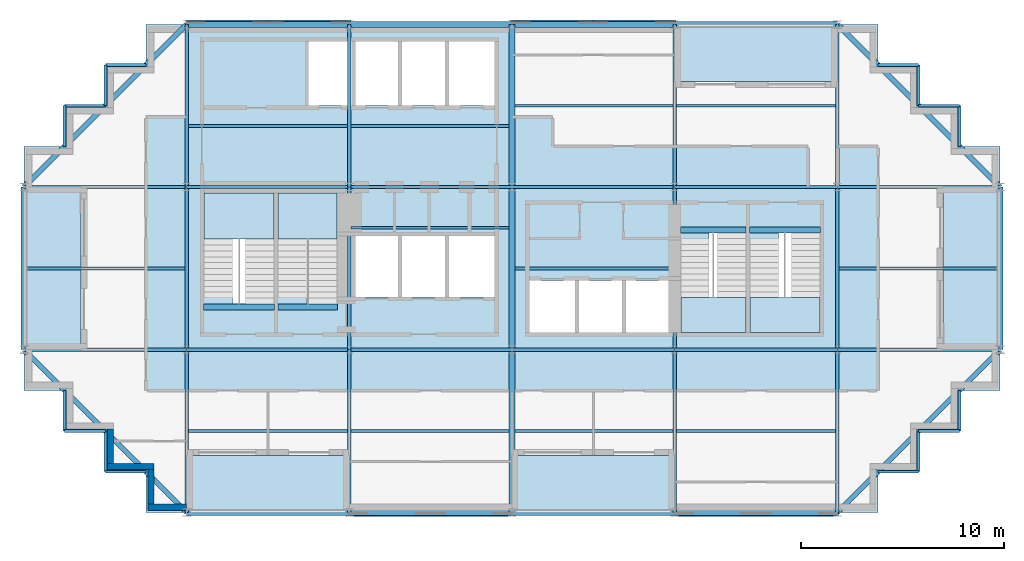
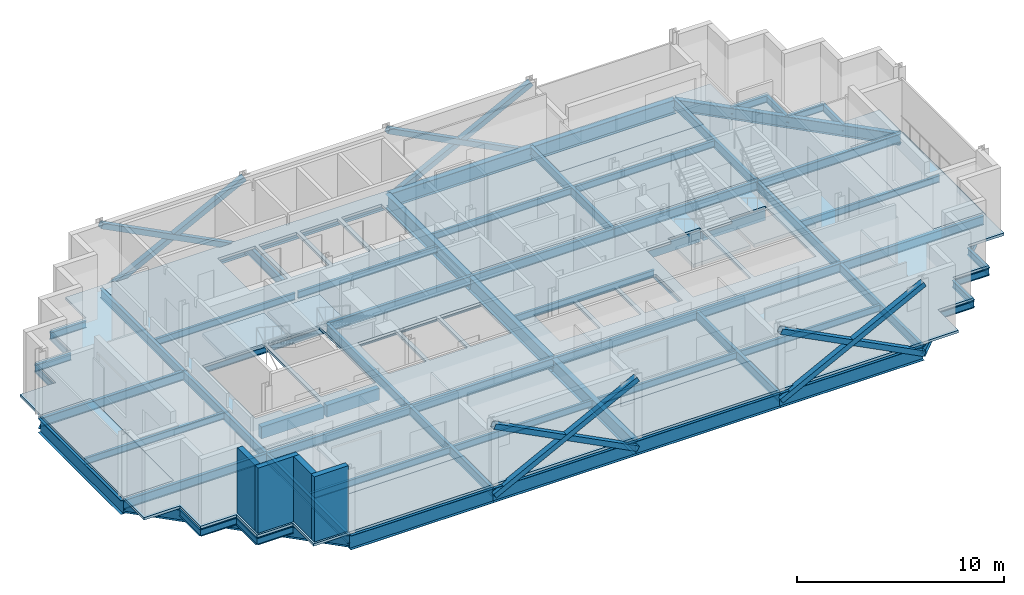
# One storey, part 3 of 9: 73 beams, 12 slabs, 8 members, 4 walls, 4 elements without a shape of their own.
"""IFC4 building model written with IfcOpenShell, lengths in metres."""

from ifc_helpers import new_model, si_unit, direction, frame, frame_2d, origin, origin_2d, place, context, subcontext, project, spatial, polyline, rectangle, hollow_rectangle, i_section, outline, extrude, material, layer, layer_set, material_profile, profile_set, type_object, element, aggregate, save


model = new_model("IFC4")

# Units and contexts
model_context = context("Model", 3, precision=1e-05, world=origin(), true_north=direction((0.0, 1.0)))
body_context = subcontext(model_context, "Body", "Model", "MODEL_VIEW")
ifc_project = project(units=[si_unit("LENGTHUNIT", "METRE"), si_unit("AREAUNIT", "SQUARE_METRE"), si_unit("VOLUMEUNIT", "CUBIC_METRE"), si_unit("PLANEANGLEUNIT", "RADIAN"), si_unit("MASSUNIT", "GRAM", prefix="KILO")], contexts=[model_context])

# Site, building, storey
site_placement = place(None, origin())
site = spatial("IfcSite", under=ifc_project, at=site_placement, CompositionType="ELEMENT")
building_placement = place(site_placement, origin())
building = spatial("IfcBuilding", under=site, at=building_placement, Name="Immortelle Media Tower", CompositionType="ELEMENT")
storey_placement = place(building_placement, frame((0.0, 0.0, 247.0)))
storey = spatial("IfcBuildingStorey", under=building, at=storey_placement, Name="L53", CompositionType="ELEMENT", Elevation=247.0)

# Members
ifc_material_1 = material(Name="Steel ASTM A500 Gr C", Category="steel")
ifc_material_profile_1 = material_profile(ifc_material_1, hollow_rectangle(XDim=0.304931640625, YDim=0.304931640625, WallThickness=0.011962890625, at=origin_2d()), Name="HSS12x12x1/2 brace")
ifc_profile_set_1 = profile_set([ifc_material_profile_1], Name="Steel ASTM A500 Gr C")
member_type = type_object("IfcMemberType", Name="HSS12x12x1/2 brace", PredefinedType="BRACE", material=ifc_profile_set_1)
for number, where, z_axis, x_axis, name in (
    (1, (16.0, -0.0625, -0.568115234375), (0.889388393612, 0.0, 0.457152365528), (0.0, 1.0, 0.0), "Brace A/3-4 A"),
    (2, (16.0, -0.0625, 3.5439453125), (0.889388393612, 0.0, -0.457152365528), (0.0, 1.0, 0.0), "Brace A/3-4 B"),
    (3, (32.0, -0.0625, -0.568115234375), (0.889388393612, 0.0, 0.457152365528), (0.0, 1.0, 0.0), "Brace A/5-6 A"),
    (4, (32.0, -0.0625, 3.5439453125), (0.889388393612, 0.0, -0.457152365528), (0.0, 1.0, 0.0), "Brace A/5-6 B"),
    (5, (32.0, 24.0625, -0.568115234375), (-0.889388393612, 0.0, 0.457152365528), (0.0, -1.0, 0.0), "Brace D/4-5 A"),
    (6, (32.0, 24.0625, 3.5439453125), (-0.889388393612, 0.0, -0.457152365528), (0.0, -1.0, 0.0), "Brace D/4-5 B"),
    (7, (16.0, 24.0625, -0.568115234375), (-0.889388393612, 0.0, 0.457152365528), (0.0, -1.0, 0.0), "Brace D/2-3 A"),
    (8, (16.0, 24.0625, 3.5439453125), (-0.889388393612, 0.0, -0.457152365528), (0.0, -1.0, 0.0), "Brace D/2-3 B"),
):
    element("IfcMember", number, at=place(storey_placement, frame(where, z_axis=z_axis, x_axis=x_axis)), inside=storey, type_object=member_type, Name=name, PredefinedType="BRACE", context=body_context, shape_type="SweptSolid", body=[
        extrude(hollow_rectangle(XDim=0.304931640625, YDim=0.304931640625, WallThickness=0.011962890625, at=origin_2d()), origin(), (0.0, 0.0, 1.0), 8.994873046875),
    ])

# Beams
ifc_material_2 = material(Name="Concrete C50/60", Category="concrete")
ifc_material_profile_2 = material_profile(ifc_material_2, rectangle(XDim=0.300048828125, YDim=0.699951171875, at=origin_2d()), Name="RC 300x700")
ifc_profile_set_2 = profile_set([ifc_material_profile_2], Name="Concrete C50/60")
beam_type_1 = type_object("IfcBeamType", Name="Stair trimmer beam 300 x 700", PredefinedType="BEAM", material=ifc_profile_set_2)
beam_1_placement = place(storey_placement, frame((8.830078125, 10.10498046875, -0.5), z_axis=(1.0, 0.0, 0.0), x_axis=(0.0, 1.0, 0.0)))
element("IfcBeam", 9, at=beam_1_placement, inside=storey, type_object=beam_type_1, Name="Stair trimmer beam SW1", PredefinedType="BEAM", context=body_context, shape_type="SweptSolid", body=[
    extrude(rectangle(XDim=0.300048828125, YDim=0.699951171875, at=origin_2d()), origin(), (0.0, 0.0, 1.0), 3.489990234375),
])
beam_2_placement = place(storey_placement, frame((12.47998046875, 10.10498046875, -0.5), z_axis=(1.0, 0.0, 0.0), x_axis=(0.0, 1.0, 0.0)))
element("IfcBeam", 10, at=beam_2_placement, inside=storey, type_object=beam_type_1, Name="Stair trimmer beam SW2", PredefinedType="BEAM", context=body_context, shape_type="SweptSolid", body=[
    extrude(rectangle(XDim=0.300048828125, YDim=0.699951171875, at=origin_2d()), origin(), (0.0, 0.0, 1.0), 2.93994140625),
])
beam_3_placement = place(storey_placement, frame((32.280029296875, 13.89501953125, -0.5), z_axis=(1.0, 0.0, 0.0), x_axis=(0.0, 1.0, 0.0)))
element("IfcBeam", 11, at=beam_3_placement, inside=storey, type_object=beam_type_1, Name="Stair trimmer beam SE1", PredefinedType="BEAM", context=body_context, shape_type="SweptSolid", body=[
    extrude(rectangle(XDim=0.300048828125, YDim=0.699951171875, at=origin_2d()), origin(), (0.0, 0.0, 1.0), 3.239990234375),
])
beam_4_placement = place(storey_placement, frame((35.679931640625, 13.89501953125, -0.5), z_axis=(1.0, 0.0, 0.0), x_axis=(0.0, 1.0, 0.0)))
element("IfcBeam", 12, at=beam_4_placement, inside=storey, type_object=beam_type_1, Name="Stair trimmer beam SE2", PredefinedType="BEAM", context=body_context, shape_type="SweptSolid", body=[
    extrude(rectangle(XDim=0.300048828125, YDim=0.699951171875, at=origin_2d()), origin(), (0.0, 0.0, 1.0), 3.489990234375),
])
ifc_material_3 = material(Name="Steel ASTM A992 Gr 50", Category="steel")
ifc_material_profile_3 = material_profile(ifc_material_3, i_section(OverallWidth=0.139892578125, OverallDepth=0.404052734375, WebThickness=0.007080078125, FlangeThickness=0.010986328125, at=origin_2d()), Name="W16x31")
ifc_profile_set_3 = profile_set([ifc_material_profile_3], Name="Steel ASTM A992 Gr 50")
beam_type_2 = type_object("IfcBeamType", Name="W16x31 secondary beam", PredefinedType="JOIST", material=ifc_profile_set_3)
beam_5_placement = place(storey_placement, frame((8.08349609375, 4.0, -0.35205078125), z_axis=(1.0, 0.0, 0.0), x_axis=(0.0, 1.0, 0.0)))
element("IfcBeam", 13, at=beam_5_placement, inside=storey, type_object=beam_type_2, Name="Beam A-B/2-3", PredefinedType="JOIST", context=body_context, shape_type="SweptSolid", body=[
    extrude(i_section(OverallWidth=0.139892578125, OverallDepth=0.404052734375, WebThickness=0.007080078125, FlangeThickness=0.010986328125, at=origin_2d()), origin(), (0.0, 0.0, 1.0), 7.8330078125),
])
for number, where, z_axis, x_axis, name in (
    (14, (16.08349609375, 4.0, -0.35205078125), (1.0, 0.0, 0.0), (0.0, 1.0, 0.0), "Beam A-B/3-4"),
    (15, (24.14599609375, 4.0, -0.35205078125), (1.0, 0.0, 0.0), (0.0, 1.0, 0.0), "Beam A-B/4-5"),
):
    element("IfcBeam", number, at=place(storey_placement, frame(where, z_axis=z_axis, x_axis=x_axis)), inside=storey, type_object=beam_type_2, Name=name, PredefinedType="JOIST", context=body_context, shape_type="SweptSolid", body=[
        extrude(i_section(OverallWidth=0.139892578125, OverallDepth=0.404052734375, WebThickness=0.007080078125, FlangeThickness=0.010986328125, at=origin_2d()), origin(), (0.0, 0.0, 1.0), 7.7705078125),
    ])
beam_6_placement = place(storey_placement, frame((32.08349609375, 4.0, -0.35205078125), z_axis=(1.0, 0.0, 0.0), x_axis=(0.0, 1.0, 0.0)))
element("IfcBeam", 16, at=beam_6_placement, inside=storey, type_object=beam_type_2, Name="Beam A-B/5-6", PredefinedType="JOIST", context=body_context, shape_type="SweptSolid", body=[
    extrude(i_section(OverallWidth=0.139892578125, OverallDepth=0.404052734375, WebThickness=0.007080078125, FlangeThickness=0.010986328125, at=origin_2d()), origin(), (0.0, 0.0, 1.0), 7.8330078125),
])
for number, where, z_axis, x_axis, name in (
    (17, (0.14599609375, 12.0, -0.35205078125), (1.0, 0.0, 0.0), (0.0, 1.0, 0.0), "Beam B-C/1-2"),
    (18, (16.08349609375, 14.0, -0.35205078125), (1.0, 0.0, 0.0), (0.0, 1.0, 0.0), "Beam B-C/3-4"),
    (19, (24.14599609375, 12.0, -0.35205078125), (1.0, 0.0, 0.0), (0.0, 1.0, 0.0), "Beam B-C/4-5"),
    (20, (40.08349609375, 12.0, -0.35205078125), (1.0, 0.0, 0.0), (0.0, 1.0, 0.0), "Beam B-C/6-7"),
):
    element("IfcBeam", number, at=place(storey_placement, frame(where, z_axis=z_axis, x_axis=x_axis)), inside=storey, type_object=beam_type_2, Name=name, PredefinedType="JOIST", context=body_context, shape_type="SweptSolid", body=[
        extrude(i_section(OverallWidth=0.139892578125, OverallDepth=0.404052734375, WebThickness=0.007080078125, FlangeThickness=0.010986328125, at=origin_2d()), origin(), (0.0, 0.0, 1.0), 7.7705078125),
    ])
beam_7_placement = place(storey_placement, frame((8.08349609375, 19.0, -0.35205078125), z_axis=(1.0, 0.0, 0.0), x_axis=(0.0, 1.0, 0.0)))
element("IfcBeam", 21, at=beam_7_placement, inside=storey, type_object=beam_type_2, Name="Beam C-D/2-3", PredefinedType="JOIST", context=body_context, shape_type="SweptSolid", body=[
    extrude(i_section(OverallWidth=0.139892578125, OverallDepth=0.404052734375, WebThickness=0.007080078125, FlangeThickness=0.010986328125, at=origin_2d()), origin(), (0.0, 0.0, 1.0), 7.8330078125),
])
for number, where, z_axis, x_axis, name in (
    (22, (16.08349609375, 19.0, -0.35205078125), (1.0, 0.0, 0.0), (0.0, 1.0, 0.0), "Beam C-D/3-4"),
    (23, (24.14599609375, 20.0, -0.35205078125), (1.0, 0.0, 0.0), (0.0, 1.0, 0.0), "Beam C-D/4-5"),
):
    element("IfcBeam", number, at=place(storey_placement, frame(where, z_axis=z_axis, x_axis=x_axis)), inside=storey, type_object=beam_type_2, Name=name, PredefinedType="JOIST", context=body_context, shape_type="SweptSolid", body=[
        extrude(i_section(OverallWidth=0.139892578125, OverallDepth=0.404052734375, WebThickness=0.007080078125, FlangeThickness=0.010986328125, at=origin_2d()), origin(), (0.0, 0.0, 1.0), 7.7705078125),
    ])
beam_8_placement = place(storey_placement, frame((32.08349609375, 20.0, -0.35205078125), z_axis=(1.0, 0.0, 0.0), x_axis=(0.0, 1.0, 0.0)))
element("IfcBeam", 24, at=beam_8_placement, inside=storey, type_object=beam_type_2, Name="Beam C-D/5-6", PredefinedType="JOIST", context=body_context, shape_type="SweptSolid", body=[
    extrude(i_section(OverallWidth=0.139892578125, OverallDepth=0.404052734375, WebThickness=0.007080078125, FlangeThickness=0.010986328125, at=origin_2d()), origin(), (0.0, 0.0, 1.0), 7.8330078125),
])
ifc_material_profile_4 = material_profile(ifc_material_3, i_section(OverallWidth=0.139892578125, OverallDepth=0.404052734375, WebThickness=0.007080078125, FlangeThickness=0.010986328125, at=origin_2d()), Name="W16x31")
ifc_profile_set_4 = profile_set([ifc_material_profile_4], Name="Steel ASTM A992 Gr 50")
beam_type_3 = type_object("IfcBeamType", Name="W16x31 serration edge beam", PredefinedType="SPANDREL", material=ifc_profile_set_4)
for number, where, z_axis, x_axis, name in (
    (25, (6.0, 2.0, -0.35205078125), (-1.0, 0.0, 0.0), (0.0, -1.0, 0.0), "Corner edge beam 1 at 1/A"),
    (26, (4.0, 2.0, -0.35205078125), (0.0, 1.0, 0.0), (-1.0, 0.0, 0.0), "Corner edge beam 2 at 1/A"),
    (27, (4.0, 4.0, -0.35205078125), (-1.0, 0.0, 0.0), (0.0, -1.0, 0.0), "Corner edge beam 3 at 1/A"),
    (28, (2.0, 4.0, -0.35205078125), (0.0, 1.0, 0.0), (-1.0, 0.0, 0.0), "Corner edge beam 4 at 1/A"),
    (29, (2.0, 18.0, -0.35205078125), (0.0, 1.0, 0.0), (-1.0, 0.0, 0.0), "Corner edge beam 1 at 1/D"),
    (30, (2.0, 20.0, -0.35205078125), (1.0, 0.0, 0.0), (0.0, 1.0, 0.0), "Corner edge beam 2 at 1/D"),
    (31, (4.0, 20.0, -0.35205078125), (0.0, 1.0, 0.0), (-1.0, 0.0, 0.0), "Corner edge beam 3 at 1/D"),
    (32, (4.0, 22.0, -0.35205078125), (1.0, 0.0, 0.0), (0.0, 1.0, 0.0), "Corner edge beam 4 at 1/D"),
    (33, (46.0, 6.0, -0.35205078125), (0.0, -1.0, 0.0), (1.0, 0.0, 0.0), "Corner edge beam 1 at 7/A"),
    (34, (46.0, 4.0, -0.35205078125), (-1.0, 0.0, 0.0), (0.0, -1.0, 0.0), "Corner edge beam 2 at 7/A"),
    (35, (44.0, 4.0, -0.35205078125), (0.0, -1.0, 0.0), (1.0, 0.0, 0.0), "Corner edge beam 3 at 7/A"),
    (36, (44.0, 2.0, -0.35205078125), (-1.0, 0.0, 0.0), (0.0, -1.0, 0.0), "Corner edge beam 4 at 7/A"),
    (37, (42.0, 22.0, -0.35205078125), (1.0, 0.0, 0.0), (0.0, 1.0, 0.0), "Corner edge beam 1 at 7/D"),
    (38, (44.0, 22.0, -0.35205078125), (0.0, -1.0, 0.0), (1.0, 0.0, 0.0), "Corner edge beam 2 at 7/D"),
    (39, (44.0, 20.0, -0.35205078125), (1.0, 0.0, 0.0), (0.0, 1.0, 0.0), "Corner edge beam 3 at 7/D"),
    (40, (46.0, 20.0, -0.35205078125), (0.0, -1.0, 0.0), (1.0, 0.0, 0.0), "Corner edge beam 4 at 7/D"),
):
    element("IfcBeam", number, at=place(storey_placement, frame(where, z_axis=z_axis, x_axis=x_axis)), inside=storey, type_object=beam_type_3, Name=name, PredefinedType="SPANDREL", context=body_context, shape_type="SweptSolid", body=[
        extrude(i_section(OverallWidth=0.139892578125, OverallDepth=0.404052734375, WebThickness=0.007080078125, FlangeThickness=0.010986328125, at=origin_2d()), origin(), (0.0, 0.0, 1.0), 2.0),
    ])
ifc_material_profile_5 = material_profile(ifc_material_3, i_section(OverallWidth=0.1669921875, OverallDepth=0.535888671875, WebThickness=0.010009765625, FlangeThickness=0.01708984375, at=origin_2d()), Name="W21x57")
ifc_profile_set_5 = profile_set([ifc_material_profile_5], Name="Steel ASTM A992 Gr 50")
beam_type_4 = type_object("IfcBeamType", Name="W21x57 girder", PredefinedType="BEAM", material=ifc_profile_set_5)
for number, where, z_axis, x_axis, name in (
    (41, (0.0, 8.0, -0.41796875), (1.0, 0.0, 0.0), (0.0, 1.0, 0.0), "Girder B/1-2"),
    (42, (0.0, 16.0, -0.41796875), (1.0, 0.0, 0.0), (0.0, 1.0, 0.0), "Girder C/1-2"),
    (43, (8.0, 0.0, -0.41796875), (0.0, 1.0, 0.0), (-1.0, 0.0, 0.0), "Girder 2/A-B"),
    (44, (8.0, 8.0, -0.41796875), (1.0, 0.0, 0.0), (0.0, 1.0, 0.0), "Girder B/2-3"),
    (45, (8.0, 8.0, -0.41796875), (0.0, 1.0, 0.0), (-1.0, 0.0, 0.0), "Girder 2/B-C"),
    (46, (8.0, 16.0, -0.41796875), (1.0, 0.0, 0.0), (0.0, 1.0, 0.0), "Girder C/2-3"),
    (47, (8.0, 16.0, -0.41796875), (0.0, 1.0, 0.0), (-1.0, 0.0, 0.0), "Girder 2/C-D"),
    (48, (16.0, 0.0, -0.41796875), (0.0, 1.0, 0.0), (-1.0, 0.0, 0.0), "Girder 3/A-B"),
    (49, (16.0, 8.0, -0.41796875), (1.0, 0.0, 0.0), (0.0, 1.0, 0.0), "Girder B/3-4"),
    (50, (16.0, 8.0, -0.41796875), (0.0, 1.0, 0.0), (-1.0, 0.0, 0.0), "Girder 3/B-C"),
    (51, (16.0, 16.0, -0.41796875), (1.0, 0.0, 0.0), (0.0, 1.0, 0.0), "Girder C/3-4"),
    (52, (16.0, 16.0, -0.41796875), (0.0, 1.0, 0.0), (-1.0, 0.0, 0.0), "Girder 3/C-D"),
    (53, (24.0, 8.0, -0.41796875), (1.0, 0.0, 0.0), (0.0, 1.0, 0.0), "Girder B/4-5"),
    (54, (24.0, 16.0, -0.41796875), (1.0, 0.0, 0.0), (0.0, 1.0, 0.0), "Girder C/4-5"),
    (55, (32.0, 0.0, -0.41796875), (0.0, 1.0, 0.0), (-1.0, 0.0, 0.0), "Girder 5/A-B"),
    (56, (32.0, 8.0, -0.41796875), (1.0, 0.0, 0.0), (0.0, 1.0, 0.0), "Girder B/5-6"),
    (57, (32.0, 8.0, -0.41796875), (0.0, 1.0, 0.0), (-1.0, 0.0, 0.0), "Girder 5/B-C"),
    (58, (32.0, 16.0, -0.41796875), (1.0, 0.0, 0.0), (0.0, 1.0, 0.0), "Girder C/5-6"),
    (59, (32.0, 16.0, -0.41796875), (0.0, 1.0, 0.0), (-1.0, 0.0, 0.0), "Girder 5/C-D"),
    (60, (40.0, 0.0, -0.41796875), (0.0, 1.0, 0.0), (-1.0, 0.0, 0.0), "Girder 6/A-B"),
    (61, (40.0, 8.0, -0.41796875), (1.0, 0.0, 0.0), (0.0, 1.0, 0.0), "Girder B/6-7"),
    (62, (40.0, 8.0, -0.41796875), (0.0, 1.0, 0.0), (-1.0, 0.0, 0.0), "Girder 6/B-C"),
    (63, (40.0, 16.0, -0.41796875), (1.0, 0.0, 0.0), (0.0, 1.0, 0.0), "Girder C/6-7"),
    (64, (40.0, 16.0, -0.41796875), (0.0, 1.0, 0.0), (-1.0, 0.0, 0.0), "Girder 6/C-D"),
):
    element("IfcBeam", number, at=place(storey_placement, frame(where, z_axis=z_axis, x_axis=x_axis)), inside=storey, type_object=beam_type_4, Name=name, PredefinedType="BEAM", context=body_context, shape_type="SweptSolid", body=[
        extrude(i_section(OverallWidth=0.1669921875, OverallDepth=0.535888671875, WebThickness=0.010009765625, FlangeThickness=0.01708984375, at=origin_2d()), origin(), (0.0, 0.0, 1.0), 8.0),
    ])
ifc_material_profile_6 = material_profile(ifc_material_3, i_section(OverallWidth=0.2529296875, OverallDepth=0.677978515625, WebThickness=0.011962890625, FlangeThickness=0.01611328125, at=origin_2d()), Name="W27x84")
ifc_profile_set_6 = profile_set([ifc_material_profile_6], Name="Steel ASTM A992 Gr 50")
beam_type_5 = type_object("IfcBeamType", Name="W27x84 corner girder", PredefinedType="SPANDREL", material=ifc_profile_set_6)
for number, where, z_axis, x_axis, name in (
    (65, (8.0, 0.0, -0.489013671875), (-0.707106781187, 0.707106781187, 0.0), (-0.707106781187, -0.707106781187, 0.0), "Corner girder at 1/A"),
    (66, (0.0, 16.0, -0.489013671875), (0.707106781187, 0.707106781187, 0.0), (-0.707106781187, 0.707106781187, 0.0), "Corner girder at 1/D"),
    (67, (48.0, 8.0, -0.489013671875), (-0.707106781187, -0.707106781187, 0.0), (0.707106781187, -0.707106781187, 0.0), "Corner girder at 7/A"),
    (68, (40.0, 24.0, -0.489013671875), (0.707106781187, -0.707106781187, 0.0), (0.707106781187, 0.707106781187, 0.0), "Corner girder at 7/D"),
):
    element("IfcBeam", number, at=place(storey_placement, frame(where, z_axis=z_axis, x_axis=x_axis)), inside=storey, type_object=beam_type_5, Name=name, PredefinedType="SPANDREL", context=body_context, shape_type="SweptSolid", body=[
        extrude(i_section(OverallWidth=0.2529296875, OverallDepth=0.677978515625, WebThickness=0.011962890625, FlangeThickness=0.01611328125, at=origin_2d()), origin(), (0.0, 0.0, 1.0), 11.313720703125),
    ])
ifc_material_profile_7 = material_profile(ifc_material_3, i_section(OverallWidth=0.2919921875, OverallDepth=0.8359375, WebThickness=0.013916015625, FlangeThickness=0.01904296875, at=origin_2d()), Name="W33x118")
ifc_profile_set_7 = profile_set([ifc_material_profile_7], Name="Steel ASTM A992 Gr 50")
beam_type_6 = type_object("IfcBeamType", Name="W33x118 perimeter girder", PredefinedType="SPANDREL", material=ifc_profile_set_7)
for number, where, z_axis, x_axis, name in (
    (69, (0.0, 8.0, -0.568115234375), (0.0, 1.0, 0.0), (-1.0, 0.0, 0.0), "Girder 1/B-C"),
    (70, (8.0, 0.0, -0.568115234375), (1.0, 0.0, 0.0), (0.0, 1.0, 0.0), "Girder A/2-3"),
    (71, (8.0, 24.0, -0.568115234375), (1.0, 0.0, 0.0), (0.0, 1.0, 0.0), "Girder D/2-3"),
    (72, (16.0, 0.0, -0.568115234375), (1.0, 0.0, 0.0), (0.0, 1.0, 0.0), "Girder A/3-4"),
    (73, (16.0, 24.0, -0.568115234375), (1.0, 0.0, 0.0), (0.0, 1.0, 0.0), "Girder D/3-4"),
    (74, (24.0, 0.0, -0.568115234375), (1.0, 0.0, 0.0), (0.0, 1.0, 0.0), "Girder A/4-5"),
    (75, (24.0, 0.0, -0.568115234375), (0.0, 1.0, 0.0), (-1.0, 0.0, 0.0), "Girder 4/A-B"),
    (76, (24.0, 8.0, -0.568115234375), (0.0, 1.0, 0.0), (-1.0, 0.0, 0.0), "Girder 4/B-C"),
    (77, (24.0, 16.0, -0.568115234375), (0.0, 1.0, 0.0), (-1.0, 0.0, 0.0), "Girder 4/C-D"),
    (78, (24.0, 24.0, -0.568115234375), (1.0, 0.0, 0.0), (0.0, 1.0, 0.0), "Girder D/4-5"),
    (79, (32.0, 0.0, -0.568115234375), (1.0, 0.0, 0.0), (0.0, 1.0, 0.0), "Girder A/5-6"),
    (80, (32.0, 24.0, -0.568115234375), (1.0, 0.0, 0.0), (0.0, 1.0, 0.0), "Girder D/5-6"),
    (81, (48.0, 8.0, -0.568115234375), (0.0, 1.0, 0.0), (-1.0, 0.0, 0.0), "Girder 7/B-C"),
):
    element("IfcBeam", number, at=place(storey_placement, frame(where, z_axis=z_axis, x_axis=x_axis)), inside=storey, type_object=beam_type_6, Name=name, PredefinedType="SPANDREL", context=body_context, shape_type="SweptSolid", body=[
        extrude(i_section(OverallWidth=0.2919921875, OverallDepth=0.8359375, WebThickness=0.013916015625, FlangeThickness=0.01904296875, at=origin_2d()), origin(), (0.0, 0.0, 1.0), 8.0),
    ])

# Slabs
ifc_material_4 = material(Name="Concrete C50/60 composite deck", Category="concrete")
ifc_layer_1 = layer(ifc_material_4, 0.14990234375)
ifc_layer_set_1 = layer_set([ifc_layer_1], Name="Concrete C50/60 composite deck")
slab_type_1 = type_object("IfcSlabType", Name="Balcony slab 150", PredefinedType="FLOOR", material=ifc_layer_set_1)
slab_1_placement = place(storey_placement, frame((0.0, 0.0, -0.14990234375)))
element("IfcSlab", 82, at=slab_1_placement, inside=storey, type_object=slab_type_1, Name="Balcony slab L53 S0", PredefinedType="FLOOR", context=body_context, shape_type="SweptSolid", body=[
    extrude(outline(polyline([(16.0, 0.0), (16.0, 2.800048828125), (8.0, 2.800048828125), (8.0, 0.0), (16.0, 0.0)])), origin(), (0.0, 0.0, 1.0), 0.14990234375),
])
slab_2_placement = place(storey_placement, frame((0.0, 0.0, -0.14990234375)))
element("IfcSlab", 83, at=slab_2_placement, inside=storey, type_object=slab_type_1, Name="Balcony slab L53 S2", PredefinedType="FLOOR", context=body_context, shape_type="SweptSolid", body=[
    extrude(outline(polyline([(32.0, 0.0), (32.0, 2.800048828125), (24.0, 2.800048828125), (24.0, 0.0), (32.0, 0.0)])), origin(), (0.0, 0.0, 1.0), 0.14990234375),
])
slab_3_placement = place(storey_placement, frame((0.0, 0.0, -0.14990234375)))
element("IfcSlab", 84, at=slab_3_placement, inside=storey, type_object=slab_type_1, Name="Balcony slab L53 E0", PredefinedType="FLOOR", context=body_context, shape_type="SweptSolid", body=[
    extrude(outline(polyline([(48.0, 8.0), (48.0, 16.0), (45.199951171875, 16.0), (45.199951171875, 8.0), (48.0, 8.0)])), origin(), (0.0, 0.0, 1.0), 0.14990234375),
])
slab_4_placement = place(storey_placement, frame((0.0, 0.0, -0.14990234375)))
element("IfcSlab", 85, at=slab_4_placement, inside=storey, type_object=slab_type_1, Name="Balcony slab L53 N0", PredefinedType="FLOOR", context=body_context, shape_type="SweptSolid", body=[
    extrude(outline(polyline([(40.0, 21.199951171875), (40.0, 24.0), (32.0, 24.0), (32.0, 21.199951171875), (40.0, 21.199951171875)])), origin(), (0.0, 0.0, 1.0), 0.14990234375),
])
slab_5_placement = place(storey_placement, frame((0.0, 0.0, -0.14990234375)))
element("IfcSlab", 86, at=slab_5_placement, inside=storey, type_object=slab_type_1, Name="Balcony slab L53 W0", PredefinedType="FLOOR", context=body_context, shape_type="SweptSolid", body=[
    extrude(outline(polyline([(2.800048828125, 8.0), (2.800048828125, 16.0), (0.0, 16.0), (0.0, 8.0), (2.800048828125, 8.0)])), origin(), (0.0, 0.0, 1.0), 0.14990234375),
])
ifc_layer_2 = layer(ifc_material_2, 0.14990234375)
ifc_layer_set_2 = layer_set([ifc_layer_2], Name="Concrete C50/60")
slab_type_2 = type_object("IfcSlabType", Name="Composite floor slab 150", PredefinedType="FLOOR", material=ifc_layer_set_2)
slab_6_placement = place(storey_placement, frame((0.0, 0.0, -0.14990234375)))
element("IfcSlab", 87, at=slab_6_placement, inside=storey, type_object=slab_type_2, Name="Floor slab L53", PredefinedType="FLOOR", context=body_context, shape_type="SweptSolid", body=[
    extrude(outline(polyline([(6.0, 0.0), (6.0, 2.0), (4.0, 2.0), (4.0, 4.0), (2.0, 4.0), (2.0, 6.0), (0.0, 6.0), (0.0, 8.0), (2.800048828125, 8.0), (2.800048828125, 16.0), (0.0, 16.0), (0.0, 18.0), (2.0, 18.0), (2.0, 20.0), (4.0, 20.0), (4.0, 22.0), (6.0, 22.0), (6.0, 24.0), (8.0, 24.0), (8.0, 8.0), (24.0, 8.0), (40.0, 8.0), (40.0, 16.0), (24.0, 16.0), (24.0, 21.199951171875), (24.0, 24.0), (32.0, 24.0), (32.0, 21.199951171875), (40.0, 21.199951171875), (40.0, 24.0), (42.0, 24.0), (42.0, 22.0), (44.0, 22.0), (44.0, 20.0), (46.0, 20.0), (46.0, 18.0), (48.0, 18.0), (48.0, 16.0), (45.199951171875, 16.0), (45.199951171875, 8.0), (48.0, 8.0), (48.0, 6.0), (46.0, 6.0), (46.0, 4.0), (44.0, 4.0), (44.0, 2.0), (42.0, 2.0), (42.0, 0.0), (32.0, 0.0), (32.0, 2.800048828125), (24.0, 2.800048828125), (24.0, 0.0), (16.0, 0.0), (16.0, 2.800048828125), (8.0, 2.800048828125), (8.0, 0.0), (6.0, 0.0)])), origin(), (0.0, 0.0, 1.0), 0.14990234375),
])
ifc_layer_3 = layer(ifc_material_2, 0.14990234375)
ifc_layer_set_3 = layer_set([ifc_layer_3], Name="Concrete C50/60")
slab_type_3 = type_object("IfcSlabType", Name="Core floor slab 150", PredefinedType="FLOOR", material=ifc_layer_set_3)
slab_7_placement = place(storey_placement, frame((0.0, 0.0, -0.14990234375)))
element("IfcSlab", 88, at=slab_7_placement, inside=storey, type_object=slab_type_3, Name="Core floor SW", PredefinedType="FLOOR", context=body_context, shape_type="SweptSolid", body=[
    extrude(outline(polyline([(8.0, 8.0), (24.0, 8.0), (24.0, 24.0), (8.0, 24.0), (8.0, 8.0)]), holes=[polyline([(14.0, 20.0), (16.10009765625, 20.0), (16.10009765625, 23.14990234375), (14.0, 23.14990234375), (14.0, 20.0)]), polyline([(16.300048828125, 20.0), (18.39990234375, 20.0), (18.39990234375, 23.14990234375), (16.300048828125, 23.14990234375), (16.300048828125, 20.0)]), polyline([(18.60009765625, 20.0), (20.699951171875, 20.0), (20.699951171875, 23.14990234375), (18.60009765625, 23.14990234375), (18.60009765625, 20.0)]), polyline([(20.89990234375, 20.0), (23.14990234375, 20.0), (23.14990234375, 23.14990234375), (20.89990234375, 23.14990234375), (20.89990234375, 20.0)]), polyline([(16.300048828125, 10.60009765625), (18.39990234375, 10.60009765625), (18.39990234375, 13.60009765625), (16.300048828125, 13.60009765625), (16.300048828125, 10.60009765625)]), polyline([(18.60009765625, 10.60009765625), (20.699951171875, 10.60009765625), (20.699951171875, 13.60009765625), (18.60009765625, 13.60009765625), (18.60009765625, 10.60009765625)]), polyline([(20.89990234375, 10.60009765625), (23.14990234375, 10.60009765625), (23.14990234375, 13.60009765625), (20.89990234375, 13.60009765625), (20.89990234375, 10.60009765625)]), polyline([(8.85009765625, 15.699951171875), (12.300048828125, 15.699951171875), (12.300048828125, 10.27001953125), (10.25, 10.27001953125), (10.25, 10.56005859375), (8.85009765625, 10.56005859375), (8.85009765625, 15.699951171875)]), polyline([(12.5, 15.699951171875), (15.39990234375, 15.699951171875), (15.39990234375, 10.27001953125), (13.89990234375, 10.27001953125), (13.89990234375, 10.56005859375), (12.5, 10.56005859375), (12.5, 15.699951171875)])]), origin(), (0.0, 0.0, 1.0), 0.14990234375),
])
slab_8_placement = place(storey_placement, frame((0.0, 0.0, -0.14990234375)))
element("IfcSlab", 89, at=slab_8_placement, inside=storey, type_object=slab_type_3, Name="Core floor SE", PredefinedType="FLOOR", context=body_context, shape_type="SweptSolid", body=[
    extrude(outline(polyline([(24.0, 8.0), (40.0, 8.0), (40.0, 16.0), (24.0, 16.0), (24.0, 8.0)]), holes=[polyline([(24.85009765625, 8.85009765625), (27.10009765625, 8.85009765625), (27.10009765625, 11.39990234375), (24.85009765625, 11.39990234375), (24.85009765625, 8.85009765625)]), polyline([(27.300048828125, 8.85009765625), (29.39990234375, 8.85009765625), (29.39990234375, 11.39990234375), (27.300048828125, 11.39990234375), (27.300048828125, 8.85009765625)]), polyline([(29.60009765625, 8.85009765625), (31.699951171875, 8.85009765625), (31.699951171875, 11.39990234375), (29.60009765625, 11.39990234375), (29.60009765625, 8.85009765625)]), polyline([(35.5, 13.72998046875), (35.5, 8.85009765625), (32.300048828125, 8.85009765625), (32.300048828125, 13.43994140625), (33.699951171875, 13.43994140625), (33.699951171875, 13.72998046875), (35.5, 13.72998046875)]), polyline([(39.14990234375, 13.72998046875), (39.14990234375, 8.85009765625), (35.699951171875, 8.85009765625), (35.699951171875, 13.43994140625), (37.10009765625, 13.43994140625), (37.10009765625, 13.72998046875), (39.14990234375, 13.72998046875)])]), origin(), (0.0, 0.0, 1.0), 0.14990234375),
])

# Stair, slab
stair_type = type_object("IfcStairType", Name="Stair with flights", PredefinedType="DOUBLE_RETURN_STAIR", material=ifc_material_3)
stair_1_placement = place(storey_placement, origin())
stair_1 = element("IfcStair", 90, at=stair_1_placement, inside=storey, type_object=stair_type, Name="Exit stair SW1", PredefinedType="DOUBLE_RETURN_STAIR")
ifc_material_5 = material(Name="Steel ASTM A572 Gr 50", Category="steel")
ifc_layer_4 = layer(ifc_material_5, 0.199951171875)
ifc_layer_set_4 = layer_set([ifc_layer_4], Name="Steel ASTM A572 Gr 50")
slab_type_4 = type_object("IfcSlabType", Name="Stair landing 200", PredefinedType="LANDING", material=ifc_layer_set_4)
slab_9_placement = place(storey_placement, frame((0.0, 0.0, 1.713134765625)))
slab_9 = element("IfcSlab", 91, at=slab_9_placement, type_object=slab_type_4, Name="ST SW1 landing 1", PredefinedType="LANDING", context=body_context, shape_type="SweptSolid", body=[
    extrude(outline(polyline([(8.85009765625, 13.43994140625), (12.300048828125, 13.43994140625), (12.300048828125, 15.699951171875), (8.85009765625, 15.699951171875), (8.85009765625, 13.43994140625)])), origin(), (0.0, 0.0, 1.0), 0.199951171875),
])
aggregate(stair_1, [slab_9])

stair_2_placement = place(storey_placement, origin())
stair_2 = element("IfcStair", 92, at=stair_2_placement, inside=storey, type_object=stair_type, Name="Exit stair SW2", PredefinedType="DOUBLE_RETURN_STAIR")
slab_10_placement = place(storey_placement, frame((0.0, 0.0, 1.713134765625)))
slab_10 = element("IfcSlab", 93, at=slab_10_placement, type_object=slab_type_4, Name="ST SW2 landing 1", PredefinedType="LANDING", context=body_context, shape_type="SweptSolid", body=[
    extrude(outline(polyline([(12.5, 13.43994140625), (15.39990234375, 13.43994140625), (15.39990234375, 15.699951171875), (12.5, 15.699951171875), (12.5, 13.43994140625)])), origin(), (0.0, 0.0, 1.0), 0.199951171875),
])
aggregate(stair_2, [slab_10])

stair_3_placement = place(storey_placement, origin())
stair_3 = element("IfcStair", 94, at=stair_3_placement, inside=storey, type_object=stair_type, Name="Exit stair SE1", PredefinedType="DOUBLE_RETURN_STAIR")
slab_11_placement = place(storey_placement, frame((0.0, 0.0, 1.713134765625)))
slab_11 = element("IfcSlab", 95, at=slab_11_placement, type_object=slab_type_4, Name="ST SE1 landing 1", PredefinedType="LANDING", context=body_context, shape_type="SweptSolid", body=[
    extrude(outline(polyline([(32.300048828125, 8.85009765625), (35.5, 8.85009765625), (35.5, 10.56005859375), (32.300048828125, 10.56005859375), (32.300048828125, 8.85009765625)])), origin(), (0.0, 0.0, 1.0), 0.199951171875),
])
aggregate(stair_3, [slab_11])

stair_4_placement = place(storey_placement, origin())
stair_4 = element("IfcStair", 96, at=stair_4_placement, inside=storey, type_object=stair_type, Name="Exit stair SE2", PredefinedType="DOUBLE_RETURN_STAIR")
slab_12_placement = place(storey_placement, frame((0.0, 0.0, 1.713134765625)))
slab_12 = element("IfcSlab", 97, at=slab_12_placement, type_object=slab_type_4, Name="ST SE2 landing 1", PredefinedType="LANDING", context=body_context, shape_type="SweptSolid", body=[
    extrude(outline(polyline([(35.699951171875, 8.85009765625), (39.14990234375, 8.85009765625), (39.14990234375, 10.56005859375), (35.699951171875, 10.56005859375), (35.699951171875, 8.85009765625)])), origin(), (0.0, 0.0, 1.0), 0.199951171875),
])
aggregate(stair_4, [slab_12])

# Walls
ifc_material_6 = material(Name="Pale aluminium cladding panel", Category="aluminium")
ifc_layer_5 = layer(ifc_material_6, 0.030029296875)
ifc_material_7 = material(Name="Steel ASTM A653 SS Gr 50 stud frame with mineral wool", Category="steel")
ifc_layer_6 = layer(ifc_material_7, 0.257568359375)
ifc_material_8 = material(Name="Moisture-resistant gypsum board", Category="gypsum")
ifc_layer_7 = layer(ifc_material_8, 0.012451171875)
ifc_layer_set_5 = layer_set([ifc_layer_5, ifc_layer_6, ifc_layer_7], Name="Steel ASTM A653 SS Gr 50 stud frame with mineral wool")
wall_type = type_object("IfcWallType", Name="Facade wall 300", PredefinedType="SOLIDWALL", material=ifc_layer_set_5)
wall_1_placement = place(storey_placement, frame((4.25, 4.10009765625, 0.0), z_axis=(0.0, 0.0, 1.0), x_axis=(0.0, -1.0, 0.0)))
element("IfcWall", 98, at=wall_1_placement, inside=storey, type_object=wall_type, Name="Facade wall L53 W3", PredefinedType="SOLIDWALL", context=body_context, shape_type="SweptSolid", body=[
    extrude(rectangle(XDim=1.7001953125, YDim=0.300048828125, at=frame_2d((0.85009765625, 0.0))), origin(), (0.0, 0.0, 1.0), 3.85009765625),
])
wall_2_placement = place(storey_placement, frame((4.10009765625, 2.25, 0.0), z_axis=(0.0, 0.0, 1.0), x_axis=(1.0, 0.0, 0.0)))
element("IfcWall", 99, at=wall_2_placement, inside=storey, type_object=wall_type, Name="Facade wall L53 S4", PredefinedType="SOLIDWALL", context=body_context, shape_type="SweptSolid", body=[
    extrude(rectangle(XDim=2.2998046875, YDim=0.300048828125, at=frame_2d((1.14990234375, 0.0))), origin(), (0.0, 0.0, 1.0), 3.85009765625),
])
wall_3_placement = place(storey_placement, frame((6.25, 2.10009765625, 0.0), z_axis=(0.0, 0.0, 1.0), x_axis=(0.0, -1.0, 0.0)))
element("IfcWall", 100, at=wall_3_placement, inside=storey, type_object=wall_type, Name="Facade wall L53 W5", PredefinedType="SOLIDWALL", context=body_context, shape_type="SweptSolid", body=[
    extrude(rectangle(XDim=1.7001953125, YDim=0.300048828125, at=frame_2d((0.85009765625, 0.0))), origin(), (0.0, 0.0, 1.0), 3.85009765625),
])
wall_4_placement = place(storey_placement, frame((6.10009765625, 0.25, 0.0), z_axis=(0.0, 0.0, 1.0), x_axis=(1.0, 0.0, 0.0)))
element("IfcWall", 101, at=wall_4_placement, inside=storey, type_object=wall_type, Name="Facade wall L53 S6", PredefinedType="SOLIDWALL", context=body_context, shape_type="SweptSolid", body=[
    extrude(rectangle(XDim=1.89990234375, YDim=0.300048828125, at=frame_2d((0.949951171875, 0.0))), origin(), (0.0, 0.0, 1.0), 3.85009765625),
])

save(model, "model.ifc")
